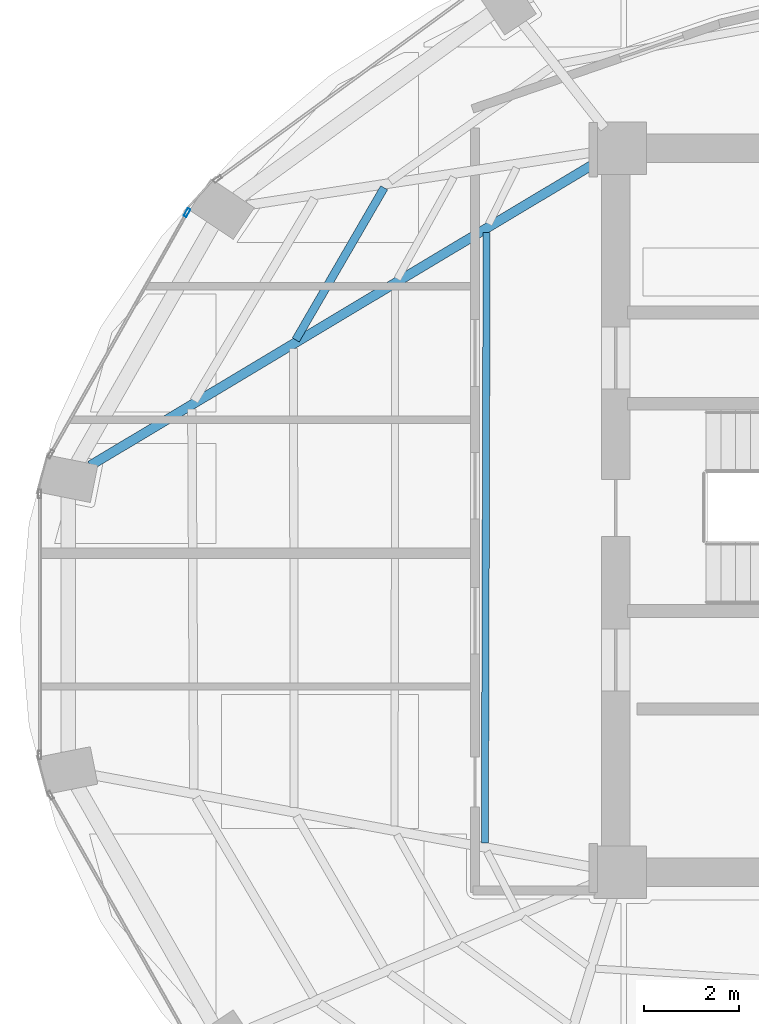
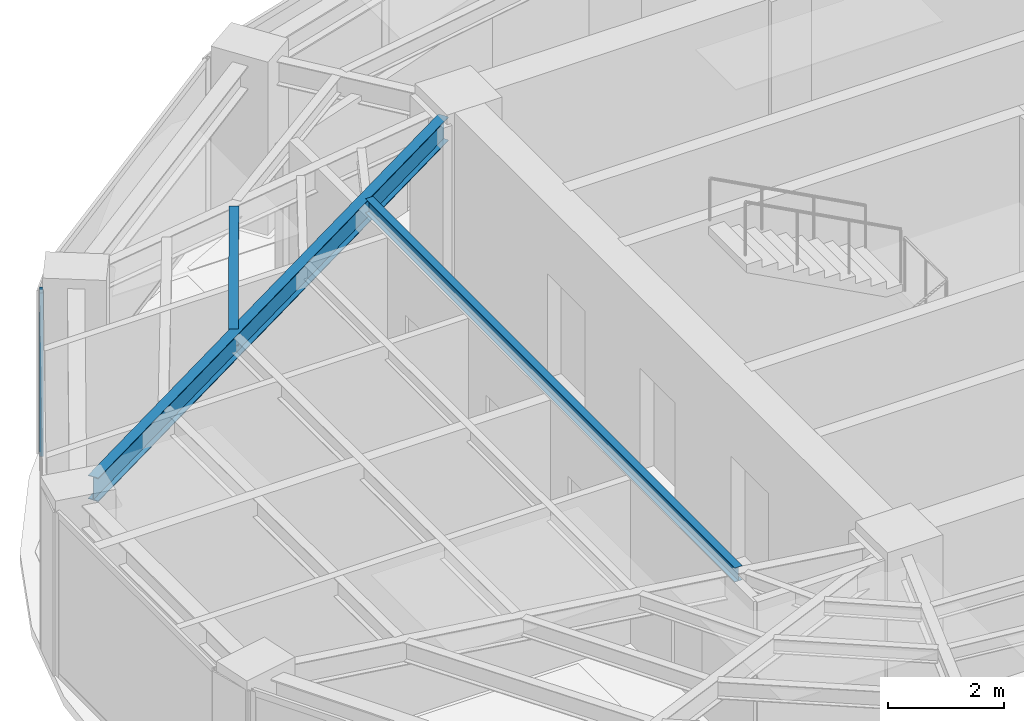
# One storey, part 9 of 23: 3 beams, 1 member, 1 element without a shape of its own.
"""IFC4 building model written with IfcOpenShell, lengths in metres."""

from ifc_helpers import new_model, si_unit, direction, frame, origin, origin_2d, place, context, subcontext, project, spatial, hollow_rectangle, i_section, extrude, material, layer, layer_set, material_profile, profile_set, type_object, element, aggregate, save


model = new_model("IFC4")

# Units and contexts
model_context = context("Model", 3, precision=1e-05, world=origin(), true_north=direction((0.0, 1.0)))
body_context = subcontext(model_context, "Body", "Model", "MODEL_VIEW")
ifc_project = project(units=[si_unit("LENGTHUNIT", "METRE"), si_unit("AREAUNIT", "SQUARE_METRE"), si_unit("VOLUMEUNIT", "CUBIC_METRE"), si_unit("PLANEANGLEUNIT", "RADIAN"), si_unit("MASSUNIT", "GRAM", prefix="KILO")], contexts=[model_context])

# Site, building, storey
site_placement = place(None, origin())
site = spatial("IfcSite", under=ifc_project, at=site_placement, CompositionType="ELEMENT")
building_placement = place(site_placement, origin())
building = spatial("IfcBuilding", under=site, at=building_placement, Name="Lazwardi Medical Tower", CompositionType="ELEMENT")
storey_placement = place(building_placement, frame((0.0, 0.0, 198.47998046875)))
storey = spatial("IfcBuildingStorey", under=building, at=storey_placement, Name="L51", CompositionType="ELEMENT", Elevation=198.47998046875)

# Beams
ifc_material_1 = material(Name="Steel S355", Category="steel")
ifc_material_profile_1 = material_profile(ifc_material_1, i_section(OverallWidth=0.199951171875, OverallDepth=0.5, WebThickness=0.01025390625, FlangeThickness=0.01611328125, at=origin_2d()), Name="IPE 500")
ifc_profile_set_1 = profile_set([ifc_material_profile_1], Name="Steel S355")
beam_type_1 = type_object("IfcBeamType", Name="BM-RG-W3", PredefinedType="BEAM", material=ifc_profile_set_1)
beam_1_placement = place(storey_placement, frame((15.27392578125, 28.937744140625, 3.197998046875), z_axis=(0.857944804603, 0.513741873176, 0.0), x_axis=(-0.513741873176, 0.857944804603, 0.0)))
element("IfcBeam", 1, at=beam_1_placement, inside=storey, type_object=beam_type_1, Name="Radial girder RG-04 R12 L51", PredefinedType="BEAM", context=body_context, shape_type="SweptSolid", body=[
    extrude(i_section(OverallWidth=0.199951171875, OverallDepth=0.5, WebThickness=0.01025390625, FlangeThickness=0.01611328125, at=origin_2d()), origin(), (0.0, 0.0, 1.0), 12.43310546875),
])
ifc_material_profile_2 = material_profile(ifc_material_1, i_section(OverallWidth=0.169921875, OverallDepth=0.360107421875, WebThickness=0.008056640625, FlangeThickness=0.0126953125, at=origin_2d()), Name="IPE 360")
ifc_profile_set_2 = profile_set([ifc_material_profile_2], Name="Steel S355")
beam_type_2 = type_object("IfcBeamType", Name="BM-SJ-02", PredefinedType="JOIST", material=ifc_profile_set_2)
beam_2_placement = place(storey_placement, frame((21.4423828125, 34.767578125, 3.26806640625), z_axis=(-0.50218018565, -0.864763008657, 0.0), x_axis=(0.864763008657, -0.50218018565, 0.0)))
element("IfcBeam", 2, at=beam_2_placement, inside=storey, type_object=beam_type_2, Name="Secondary joist SJ-02 R2 B11 L51", PredefinedType="JOIST", context=body_context, shape_type="SweptSolid", body=[
    extrude(i_section(OverallWidth=0.169921875, OverallDepth=0.360107421875, WebThickness=0.008056640625, FlangeThickness=0.0126953125, at=origin_2d()), origin(), (0.0, 0.0, 1.0), 3.69189453125),
])
ifc_material_profile_3 = material_profile(ifc_material_1, i_section(OverallWidth=0.14990234375, OverallDepth=0.300048828125, WebThickness=0.007080078125, FlangeThickness=0.0107421875, at=origin_2d()), Name="IPE 300")
ifc_profile_set_3 = profile_set([ifc_material_profile_3], Name="Steel S355")
beam_type_3 = type_object("IfcBeamType", Name="BM-SJ-03", PredefinedType="JOIST", material=ifc_profile_set_3)
beam_3_placement = place(storey_placement, frame((23.593994140625, 33.824951171875, 3.298095703125), z_axis=(-0.002897930673, -0.99999580099, 0.0), x_axis=(0.99999580099, -0.002897930673, 0.0)))
element("IfcBeam", 3, at=beam_3_placement, inside=storey, type_object=beam_type_3, Name="Secondary joist SJ-03 R4 B12 L51", PredefinedType="JOIST", context=body_context, shape_type="SweptSolid", body=[
    extrude(i_section(OverallWidth=0.14990234375, OverallDepth=0.300048828125, WebThickness=0.007080078125, FlangeThickness=0.0107421875, at=origin_2d()), origin(), (0.0, 0.0, 1.0), 12.805419921875),
])

# Curtain wall, member
ifc_material_2 = material(Name="Anodised bronze aluminium and solar control glazing", Category="aluminium")
ifc_layer = layer(ifc_material_2, 0.18994140625)
ifc_layer_set = layer_set([ifc_layer], Name="Anodised bronze aluminium and solar control glazing")
curtain_wall_type = type_object("IfcCurtainWallType", Name="CW-SYS-04", PredefinedType="NOTDEFINED", material=ifc_layer_set)
curtain_wall_placement = place(storey_placement, origin())
curtain_wall = element("IfcCurtainWall", 4, at=curtain_wall_placement, inside=storey, type_object=curtain_wall_type, Name="L51 Unitised bronze curtain wall CW-04", PredefinedType="NOTDEFINED")
ifc_material_3 = material(Name="Anodised bronze aluminium", Category="aluminium")
ifc_material_profile_4 = material_profile(ifc_material_3, hollow_rectangle(XDim=0.06494140625, YDim=0.179931640625, WallThickness=0.00390625, at=origin_2d()), Name="ALU-MULLION 180x65x4")
ifc_profile_set_4 = profile_set([ifc_material_profile_4], Name="Anodised bronze aluminium")
member_type = type_object("IfcMemberType", Name="CW-MUL-03", PredefinedType="MULLION", material=ifc_profile_set_4)
member_placement = place(storey_placement, frame((17.3056640625, 34.24560546875, 0.0), z_axis=(0.0, 0.0, 1.0), x_axis=(0.870651436011, -0.491900474661, 0.0)))
member = element("IfcMember", 5, at=member_placement, type_object=member_type, Name="CW-04 mullion 1", PredefinedType="MULLION", context=body_context, shape_type="SweptSolid", body=[
    extrude(hollow_rectangle(XDim=0.06494140625, YDim=0.179931640625, WallThickness=0.00390625, at=origin_2d()), origin(), (0.0, 0.0, 1.0), 3.447998046875),
])
aggregate(curtain_wall, [member])

save(model, "model.ifc")
